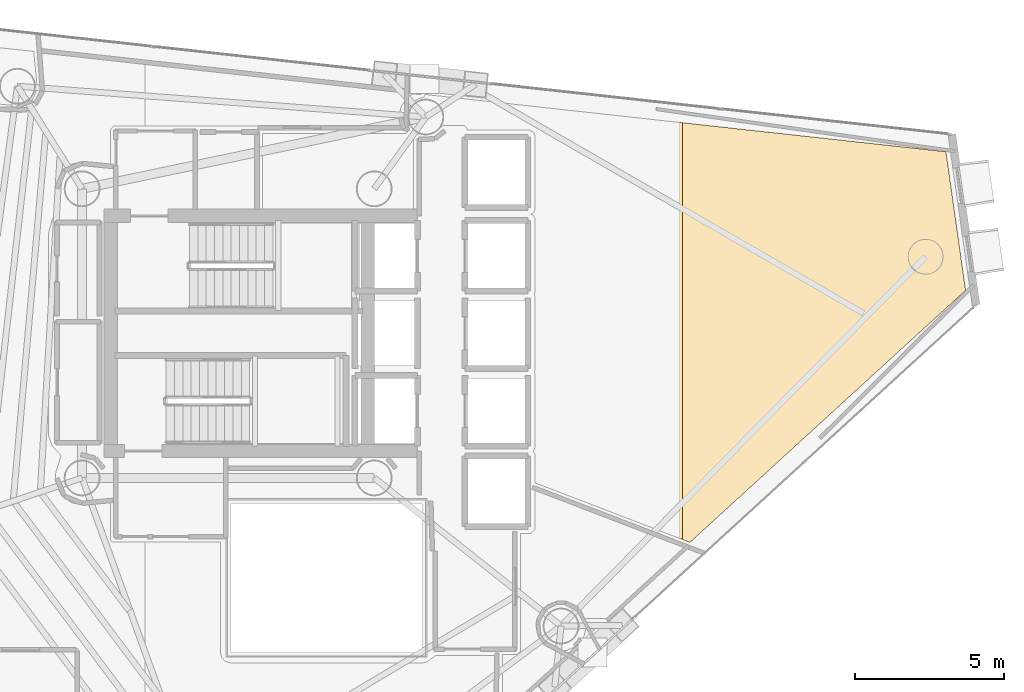
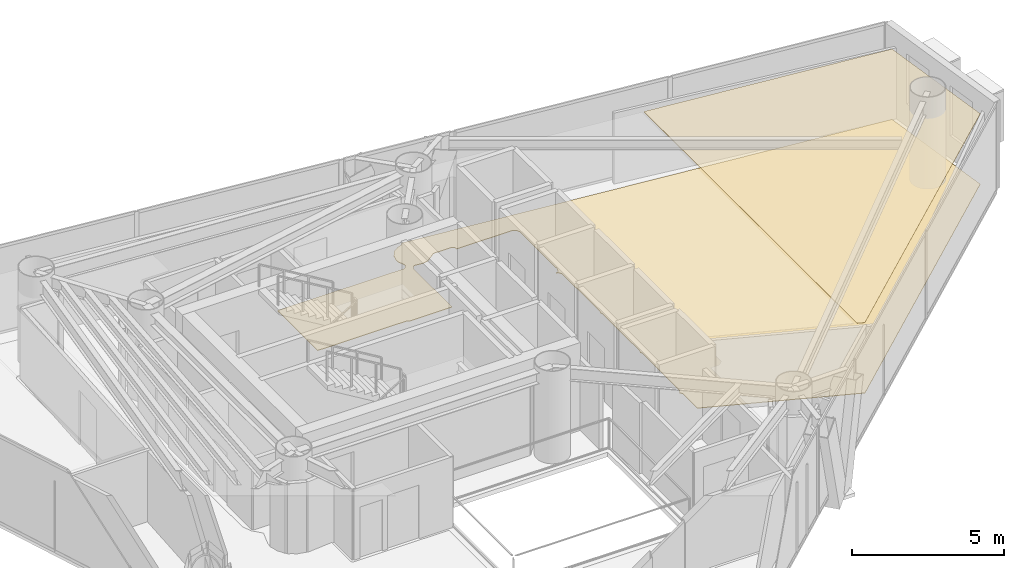
# One storey, part 24 of 24: 2 coverings.
"""IFC4 building model written with IfcOpenShell, lengths in metres."""

from ifc_helpers import new_model, si_unit, direction, frame, origin, place, context, subcontext, project, spatial, polyline, outline, extrude, material, layer, layer_set, type_object, element, save


model = new_model("IFC4")

# Units and contexts
model_context = context("Model", 3, precision=1e-05, world=origin(), true_north=direction((0.0, 1.0)))
body_context = subcontext(model_context, "Body", "Model", "MODEL_VIEW")
ifc_project = project(units=[si_unit("LENGTHUNIT", "METRE"), si_unit("AREAUNIT", "SQUARE_METRE"), si_unit("VOLUMEUNIT", "CUBIC_METRE"), si_unit("PLANEANGLEUNIT", "RADIAN"), si_unit("MASSUNIT", "GRAM", prefix="KILO")], contexts=[model_context])

# Site, building, storey
site_placement = place(None, origin())
site = spatial("IfcSite", under=ifc_project, at=site_placement, CompositionType="ELEMENT")
building_placement = place(site_placement, origin())
building = spatial("IfcBuilding", under=site, at=building_placement, Name="Qianvela Tower", CompositionType="ELEMENT")
storey_placement = place(building_placement, frame((0.0, 0.0, 222.5)))
storey = spatial("IfcBuildingStorey", under=building, at=storey_placement, Name="L57", CompositionType="ELEMENT", Elevation=222.5)

# Coverings
ifc_material_1 = material(Name="Perforated Mineral Acoustic Ceiling Tile")
ifc_layer_1 = layer(ifc_material_1, 0.02490234375)
ifc_layer_set_1 = layer_set([ifc_layer_1], Name="Perforated Mineral Acoustic Ceiling Tile")
covering_type_1 = type_object("IfcCoveringType", Name="COV-CEIL-ACOUSTIC-25", PredefinedType="CEILING", material=ifc_layer_set_1)
covering_1_placement = place(storey_placement, frame((0.0, 0.0, 2.81494140625)))
element("IfcCovering", 1, at=covering_1_placement, inside=storey, type_object=covering_type_1, Name="L57 Acoustic Ceiling Bay 2 Stationery Supply Boutique L57-05", PredefinedType="CEILING", context=body_context, shape_type="SweptSolid", body=[
    extrude(outline(polyline([(57.57958984375, 34.793701171875), (58.238037109375, 30.142578125), (48.9912109375, 21.68896484375), (48.742919921875, 21.784423828125), (48.742919921875, 35.76513671875), (57.57958984375, 34.793701171875)])), origin(), (0.0, 0.0, 1.0), 0.025146484375),
])
ifc_material_2 = material(Name="Engineered Acoustic Oak Timber Flooring", Category="wood")
ifc_layer_2 = layer(ifc_material_2, 0.02001953125)
ifc_layer_set_2 = layer_set([ifc_layer_2], Name="Engineered Acoustic Oak Timber Flooring")
covering_type_2 = type_object("IfcCoveringType", Name="COV-FLOOR-OAK-20", PredefinedType="FLOORING", material=ifc_layer_set_2)
covering_2_placement = place(storey_placement, origin())
element("IfcCovering", 2, at=covering_2_placement, inside=storey, type_object=covering_type_2, Name="L57 Finish Flooring Stationery Supply Boutique L57-05", PredefinedType="FLOORING", context=body_context, shape_type="SweptSolid", body=[
    extrude(outline(polyline([(43.644287109375, 32.701904296875), (43.722412109375, 32.739013671875), (43.729248046875, 32.74267578125), (43.73583984375, 32.746826171875), (43.741943359375, 32.751953125), (43.74755859375, 32.757568359375), (43.75244140625, 32.763427734375), (43.7568359375, 32.77001953125), (43.760498046875, 32.777099609375), (43.763427734375, 32.7841796875), (43.79541015625, 32.873046875), (43.7978515625, 32.8818359375), (43.799560546875, 32.890869140625), (43.800048828125, 32.89990234375), (43.800048828125, 35.300048828125), (43.799560546875, 35.30908203125), (43.7978515625, 35.318115234375), (43.79541015625, 35.326904296875), (43.763427734375, 35.415771484375), (43.760498046875, 35.423095703125), (43.7568359375, 35.429931640625), (43.75244140625, 35.4365234375), (43.74755859375, 35.4423828125), (43.741943359375, 35.447998046875), (43.73583984375, 35.453125), (43.729248046875, 35.45751953125), (43.722412109375, 35.461181640625), (43.6142578125, 35.51220703125), (43.607666015625, 35.51513671875), (43.60107421875, 35.51708984375), (43.593994140625, 35.518798828125), (43.587158203125, 35.519775390625), (43.580078125, 35.52001953125), (41.515625, 35.52001953125), (41.513916015625, 35.554931640625), (41.512939453125, 35.563232421875), (41.51123046875, 35.5712890625), (41.508544921875, 35.5791015625), (41.50537109375, 35.5869140625), (41.501220703125, 35.593994140625), (41.496337890625, 35.6005859375), (41.49072265625, 35.60693359375), (41.484619140625, 35.612548828125), (41.426513671875, 35.660400390625), (41.420166015625, 35.6650390625), (41.413330078125, 35.6689453125), (41.40625, 35.67236328125), (41.39892578125, 35.675048828125), (41.391357421875, 35.677001953125), (41.383544921875, 35.677978515625), (41.375732421875, 35.678466796875), (40.750244140625, 35.679931640625), (40.742919921875, 35.6796875), (40.7353515625, 35.6787109375), (40.728271484375, 35.677001953125), (40.72119140625, 35.674560546875), (40.71435546875, 35.671630859375), (40.7080078125, 35.668212890625), (40.701904296875, 35.663818359375), (40.361083984375, 35.406982421875), (40.127197265625, 35.3603515625), (39.85107421875, 35.393310546875), (39.843505859375, 35.393798828125), (39.835693359375, 35.393798828125), (39.828125, 35.392822265625), (39.820556640625, 35.39111328125), (39.813232421875, 35.388916015625), (39.80615234375, 35.3857421875), (39.799560546875, 35.382080078125), (39.793212890625, 35.377685546875), (39.787109375, 35.37255859375), (39.781982421875, 35.3671875), (39.777099609375, 35.361083984375), (39.772705078125, 35.354736328125), (39.731201171875, 35.28466796875), (39.727294921875, 35.277099609375), (39.72412109375, 35.26904296875), (39.7216796875, 35.2607421875), (39.720458984375, 35.252197265625), (39.719970703125, 35.243896484375), (39.719970703125, 32.719970703125), (38.125, 32.719970703125), (38.03369140625, 32.762451171875), (38.025634765625, 32.765625), (38.017333984375, 32.76806640625), (38.0087890625, 32.76953125), (38.0, 32.77001953125), (34.659912109375, 32.77001953125), (34.6591796875, 35.41064453125), (39.43359375, 35.401611328125), (39.44140625, 35.40185546875), (39.448974609375, 35.40283203125), (39.45654296875, 35.40478515625), (39.4638671875, 35.407470703125), (39.470703125, 35.41064453125), (39.4775390625, 35.41455078125), (39.48388671875, 35.419189453125), (39.489501953125, 35.42431640625), (39.494873046875, 35.429931640625), (39.5595703125, 35.5068359375), (39.564208984375, 35.512939453125), (39.568115234375, 35.519287109375), (39.571533203125, 35.526123046875), (39.574462890625, 35.533203125), (39.576416015625, 35.54052734375), (39.57763671875, 35.548095703125), (39.578369140625, 35.5556640625), (39.578369140625, 35.563232421875), (39.577392578125, 35.57080078125), (39.575927734375, 35.578125), (39.57373046875, 35.58544921875), (39.48388671875, 35.83447265625), (39.47265625, 35.9501953125), (39.524169921875, 36.20947265625), (39.66650390625, 36.422607421875), (39.886962890625, 36.56982421875), (40.042236328125, 36.6201171875), (40.0498046875, 36.623046875), (40.05712890625, 36.626708984375), (40.06396484375, 36.631103515625), (40.0703125, 36.63623046875), (40.076171875, 36.641845703125), (40.081298828125, 36.648193359375), (40.0859375, 36.65478515625), (40.08984375, 36.662109375), (40.093017578125, 36.66943359375), (40.10888671875, 36.71435546875), (57.57958984375, 34.793701171875), (58.238037109375, 30.142578125), (48.9912109375, 21.68896484375), (43.7998046875, 23.684326171875), (43.79931640625, 24.61376953125), (43.798828125, 24.62158203125), (43.7978515625, 24.62939453125), (43.7958984375, 24.636962890625), (43.793212890625, 24.644287109375), (43.789794921875, 24.6513671875), (43.785888671875, 24.658203125), (43.73046875, 24.740966796875), (43.732666015625, 24.74365234375), (43.7373046875, 24.750732421875), (43.785888671875, 24.83154296875), (43.7900390625, 24.839111328125), (43.793212890625, 24.84716796875), (43.79541015625, 24.85546875), (43.796875, 24.864013671875), (43.79736328125, 24.87255859375), (43.800048828125, 27.2998046875), (43.799560546875, 27.307861328125), (43.79833984375, 27.31591796875), (43.79638671875, 27.323486328125), (43.793701171875, 27.3310546875), (43.7646484375, 27.39990234375), (43.793701171875, 27.468994140625), (43.79638671875, 27.476318359375), (43.79833984375, 27.484130859375), (43.799560546875, 27.491943359375), (43.800048828125, 27.5), (43.800048828125, 29.89990234375), (43.799560546875, 29.907958984375), (43.79833984375, 29.915771484375), (43.79638671875, 29.923583984375), (43.793701171875, 29.93115234375), (43.7646484375, 30.0), (43.793701171875, 30.06884765625), (43.79638671875, 30.076416015625), (43.79833984375, 30.084228515625), (43.799560546875, 30.09228515625), (43.800048828125, 30.10009765625), (43.7939453125, 32.540771484375), (43.793701171875, 32.548583984375), (43.79248046875, 32.556396484375), (43.79052734375, 32.56396484375), (43.787841796875, 32.5712890625), (43.784423828125, 32.578369140625), (43.780517578125, 32.585205078125), (43.7353515625, 32.652587890625), (43.73095703125, 32.658447265625), (43.726318359375, 32.6640625), (43.720947265625, 32.6689453125), (43.715087890625, 32.673583984375), (43.708984375, 32.677490234375), (43.702392578125, 32.680908203125), (43.69580078125, 32.68359375), (43.644287109375, 32.701904296875)])), origin(), (0.0, 0.0, 1.0), 0.02001953125),
])

save(model, "model.ifc")
